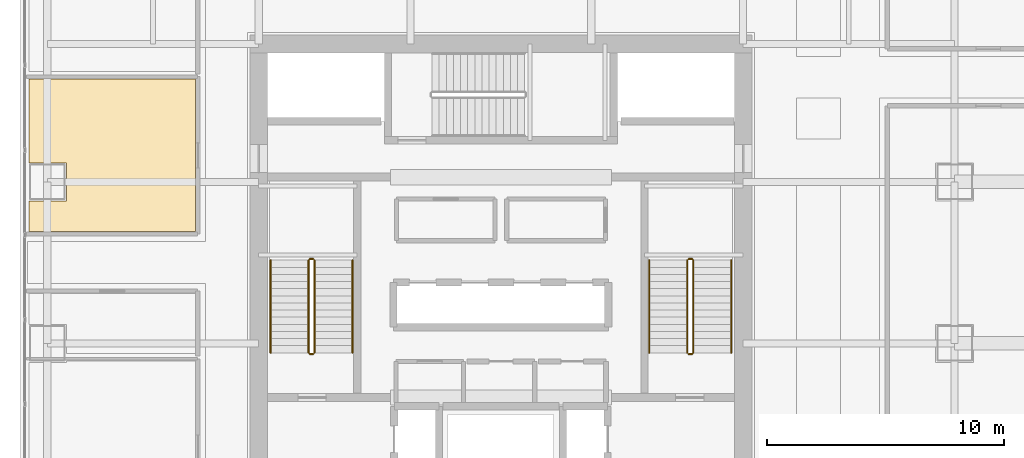
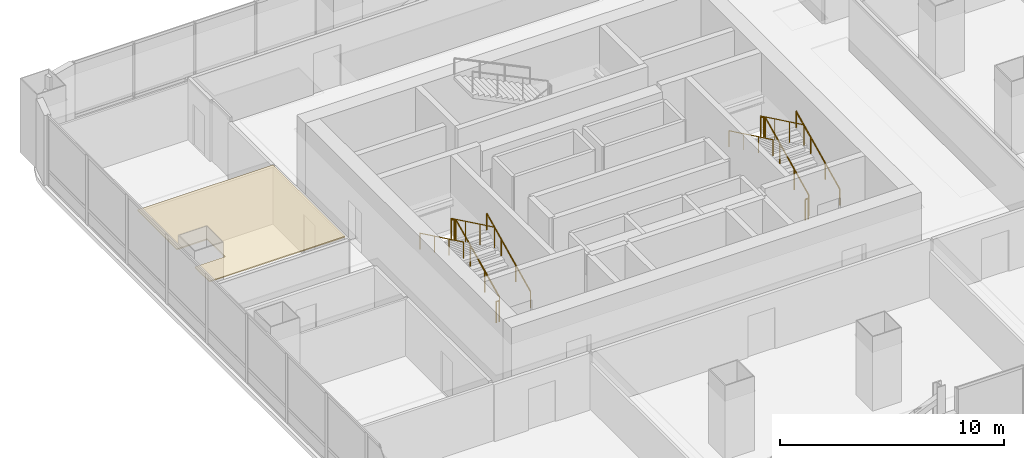
# One storey, part 35 of 40: 12 railings, 1 covering.
"""IFC4 building model written with IfcOpenShell, lengths in metres."""

import ifcopenshell
import ifcopenshell.guid

model = None  # the IFC model being written
_history = None  # IfcOwnerHistory: only IFC2X3 demands one
_inside = {}  # id of a spatial element -> (the spatial element, [elements in it])
_under = {}  # id of a project, library or spatial element -> (it, [spatial elements below it])
_declared = {}  # id of a project -> (the project, [libraries it declares])
_typed = {}  # id of a type object -> (the type object, [elements of that type])
_made_of = {}  # id of a material, layer set ... -> (it, [elements and type objects made of it])


def new_model(schema):
    """Start an empty IFC model of exactly this schema.

    Asked for "IFC4X3", IfcOpenShell would pick the latest addendum, in which some entities
    have other attributes; the version numbers below select the first issue.
    IFC2X3 requires an IfcOwnerHistory on every rooted entity: one is made here for all.
    """
    global model, _history
    if schema == "IFC4X3":
        model = ifcopenshell.file(schema_version=(4, 3, 0, 0))
    else:
        model = ifcopenshell.file(schema=schema)
    _inside.clear()
    _under.clear()
    _declared.clear()
    _typed.clear()
    _made_of.clear()
    _history = None
    if model.schema == "IFC2X3":
        org = make("IfcOrganization", Name="unknown")
        user = make(
            "IfcPersonAndOrganization",
            ThePerson=make("IfcPerson", FamilyName="unknown"),
            TheOrganization=org,
        )
        app = make(
            "IfcApplication",
            ApplicationDeveloper=org,
            Version="unknown",
            ApplicationFullName="unknown",
            ApplicationIdentifier="unknown",
        )
        _history = make(
            "IfcOwnerHistory",
            OwningUser=user,
            OwningApplication=app,
            ChangeAction="ADDED",
            CreationDate=0,
        )
    return model


def make(cls, **values):
    """One entity of the class cls with the attributes given. An attribute that is None is left unset."""
    return model.create_entity(
        cls, **{name: value for name, value in values.items() if value is not None}
    )


def rooted(cls, **values):
    """An entity with a GlobalId (a new one), such as an element, a storey or a relation."""
    return make(cls, GlobalId=ifcopenshell.guid.new(), OwnerHistory=_history, **values)


def si_unit(unit_type, name, prefix=None):
    """IfcSIUnit, for example si_unit("LENGTHUNIT", "METRE", prefix="MILLI")."""
    return make("IfcSIUnit", UnitType=unit_type, Prefix=prefix, Name=name)


def assignment(units):
    """IfcUnitAssignment: the units of a project."""
    return None if units is None else make("IfcUnitAssignment", Units=units)


def point(xyz):
    """IfcCartesianPoint."""
    return None if xyz is None else make("IfcCartesianPoint", Coordinates=xyz)


def direction(xyz):
    """IfcDirection."""
    return None if xyz is None else make("IfcDirection", DirectionRatios=xyz)


def frame(location, z_axis=None, x_axis=None):
    """IfcAxis2Placement3D, a coordinate frame: its origin and axes. An axis left out is left unset."""
    return make(
        "IfcAxis2Placement3D",
        Location=point(location),
        Axis=direction(z_axis),
        RefDirection=direction(x_axis),
    )


def frame_2d(location, x_axis=None):
    """IfcAxis2Placement2D, a coordinate frame in the plane: its origin and x axis."""
    return make(
        "IfcAxis2Placement2D", Location=point(location), RefDirection=direction(x_axis)
    )


def origin():
    """The frame at (0, 0, 0) with its axes left unset."""
    return frame((0.0, 0.0, 0.0))


def origin_2d():
    """The frame at (0, 0) in the plane with its x axis left unset."""
    return frame_2d((0.0, 0.0))


def place(relative_to, where):
    """IfcLocalPlacement: puts the frame where relative to a parent placement (None: the world)."""
    return make(
        "IfcLocalPlacement", PlacementRelTo=relative_to, RelativePlacement=where
    )


def context(
    kind, dimensions, precision=None, world=None, true_north=None, identifier=None
):
    """IfcGeometricRepresentationContext, for example the 3D "Model" context."""
    return make(
        "IfcGeometricRepresentationContext",
        ContextIdentifier=identifier,
        ContextType=kind,
        CoordinateSpaceDimension=dimensions,
        Precision=precision,
        WorldCoordinateSystem=world,
        TrueNorth=true_north,
    )


def subcontext(parent, identifier, kind, view, scale=None):
    """IfcGeometricRepresentationSubContext, for example "Body" below "Model"."""
    return make(
        "IfcGeometricRepresentationSubContext",
        ContextIdentifier=identifier,
        ContextType=kind,
        ParentContext=parent,
        TargetScale=scale,
        TargetView=view,
    )


def project(units=None, contexts=None):
    """IfcProject with its units and contexts."""
    return rooted(
        "IfcProject",
        Name="project",
        RepresentationContexts=contexts,
        UnitsInContext=assignment(units),
    )


def spatial(cls, under=None, at=None, **own):
    """A site, building, storey or space (cls), placed at a placement, below another one or the project."""
    s = rooted(cls, ObjectPlacement=at, **own)
    if under is not None:
        _under.setdefault(under.id(), (under, []))[1].append(s)
    return s


def polyline(points):
    """IfcPolyline through the points."""
    return make("IfcPolyline", Points=[point(p) for p in points])


def profile(cls, at=None, kind="AREA", **sizes):
    """A parametric profile (cls). Its sizes go by their IFC names, for example OverallWidth=200.0."""
    return make(cls, ProfileType=kind, Position=at, **sizes)


def circle(**sizes):
    """IfcCircleProfileDef."""
    return profile("IfcCircleProfileDef", **sizes)


def outline(outer, holes=None, kind="AREA"):
    """IfcArbitraryClosedProfileDef: a profile drawn as a closed curve; with holes, ...WithVoids."""
    if holes is None:
        return make("IfcArbitraryClosedProfileDef", ProfileType=kind, OuterCurve=outer)
    return make(
        "IfcArbitraryProfileDefWithVoids",
        ProfileType=kind,
        OuterCurve=outer,
        InnerCurves=holes,
    )


def extrude(swept, where, along, depth):
    """IfcExtrudedAreaSolid: the profile swept, set in the frame where, extruded along a direction by depth."""
    return make(
        "IfcExtrudedAreaSolid",
        SweptArea=swept,
        Position=where,
        ExtrudedDirection=direction(along),
        Depth=depth,
    )


def shape(context_of_items, identifier, shape_type, items):
    """IfcShapeRepresentation: the items that make up one representation, for example the "Body"."""
    return make(
        "IfcShapeRepresentation",
        ContextOfItems=context_of_items,
        RepresentationIdentifier=identifier,
        RepresentationType=shape_type,
        Items=items,
    )


def material(Name=None, Category=None):
    """IfcMaterial."""
    return make("IfcMaterial", Name=Name, Category=Category)


def layer(
    of_material, thickness, ventilated=None, Name=None, Category=None, Priority=None
):
    """IfcMaterialLayer: one layer of a wall or slab, of a material (None: an air gap)."""
    return make(
        "IfcMaterialLayer",
        Material=of_material,
        LayerThickness=thickness,
        IsVentilated=ventilated,
        Name=Name,
        Category=Category,
        Priority=Priority,
    )


def layer_set(layers, Name=None):
    """IfcMaterialLayerSet."""
    return make("IfcMaterialLayerSet", MaterialLayers=layers, LayerSetName=Name)


def made_of(thing, what):
    """Note that an element or type object is made of a material, layer set ...; save() writes the relation."""
    if what is not None:
        _made_of.setdefault(what.id(), (what, []))[1].append(thing)
    return thing


def type_object(cls, material=None, **own):
    """A type object (cls), such as IfcWallType, which elements share."""
    return made_of(rooted(cls, **own), material)


def element(
    cls,
    number,
    at=None,
    inside=None,
    cuts=None,
    type_object=None,
    material=None,
    context=None,
    identifier="Body",
    shape_type=None,
    held_by="IfcProductDefinitionShape",
    body=None,
    shapes=None,
    **own,
):
    """One element of the class cls, such as IfcWall. Its Tag is "e" and its number.

    at: its placement. inside: the storey or other place that contains it. cuts: it is an
    opening in that element (IfcRelVoidsElement). A single representation is given by context,
    identifier, shape_type and body (its items); several are given by shapes. held_by: the class
    of the entity that holds the representations. save() writes the other relations.
    """
    e = rooted(cls, Tag="e%d" % number, ObjectPlacement=at, **own)
    if body is not None:
        shapes = [shape(context, identifier, shape_type, body)]
    if shapes is not None:
        e.Representation = make(held_by, Representations=shapes)
    if inside is not None:
        _inside.setdefault(inside.id(), (inside, []))[1].append(e)
    if cuts is not None:
        rooted(
            "IfcRelVoidsElement", RelatingBuildingElement=cuts, RelatedOpeningElement=e
        )
    if type_object is not None:
        _typed.setdefault(type_object.id(), (type_object, []))[1].append(e)
    return made_of(e, material)


def aggregate(whole, parts):
    """IfcRelAggregates: a whole, such as a stair, and the parts it consists of."""
    return rooted("IfcRelAggregates", RelatingObject=whole, RelatedObjects=parts)


def save(model, path):
    """Write the relations noted so far, then the file.

    IfcRelAggregates (storeys below a building ...), IfcRelContainedInSpatialStructure (elements
    in a storey), IfcRelDefinesByType, IfcRelAssociatesMaterial and IfcRelDeclares: one each for
    every whole, place, type object, material and project.
    """
    for whole, parts in _under.values():
        aggregate(whole, parts)
    for where, things in _inside.values():
        rooted(
            "IfcRelContainedInSpatialStructure",
            RelatedElements=things,
            RelatingStructure=where,
        )
    for kind, things in _typed.values():
        rooted("IfcRelDefinesByType", RelatedObjects=things, RelatingType=kind)
    for what, things in _made_of.values():
        rooted("IfcRelAssociatesMaterial", RelatedObjects=things, RelatingMaterial=what)
    for by, libraries in _declared.values():
        rooted("IfcRelDeclares", RelatingContext=by, RelatedDefinitions=libraries)
    model.write(path)


model = new_model("IFC4")

# Units and contexts
model_context = context("Model", 3, precision=1e-05, world=origin(), true_north=direction((0.0, 1.0)))
body_context = subcontext(model_context, "Body", "Model", "MODEL_VIEW")
ifc_project = project(units=[si_unit("LENGTHUNIT", "METRE"), si_unit("AREAUNIT", "SQUARE_METRE"), si_unit("VOLUMEUNIT", "CUBIC_METRE"), si_unit("PLANEANGLEUNIT", "RADIAN"), si_unit("MASSUNIT", "GRAM", prefix="KILO")], contexts=[model_context])

# Site, building, storey
site_placement = place(None, origin())
site = spatial("IfcSite", under=ifc_project, at=site_placement, CompositionType="ELEMENT")
building_placement = place(site_placement, origin())
building = spatial("IfcBuilding", under=site, at=building_placement, Name="Punatoya Terracotta Tower", CompositionType="ELEMENT")
storey_placement = place(building_placement, frame((0.0, 0.0, 76.800048828125)))
storey = spatial("IfcBuildingStorey", under=building, at=storey_placement, Name="L17", CompositionType="ELEMENT", Elevation=76.800048828125)

# Covering
ifc_material_1 = material(Name="Acoustic Mineral Fibre Ceiling")
ifc_layer = layer(ifc_material_1, 0.06005859375)
ifc_layer_set = layer_set([ifc_layer], Name="Acoustic Mineral Fibre Ceiling")
covering_type = type_object("IfcCoveringType", Name="COV-CEIL-60", PredefinedType="CEILING", material=ifc_layer_set)
covering_placement = place(storey_placement, frame((0.0, 0.0, 3.199951171875)))
element("IfcCovering", 1, at=covering_placement, inside=storey, type_object=covering_type, Name="L17 Open-Plan Wellness Focus Room Acoustic Ceiling", PredefinedType="CEILING", context=body_context, shape_type="SweptSolid", body=[
    extrude(outline(polyline([(-19.8701171875, 1.300048828125), (-12.8701171875, 1.300048828125), (-12.8701171875, 7.72998046875), (-19.8701171875, 7.72998046875), (-19.8701171875, 4.199951171875), (-18.300048828125, 4.199951171875), (-18.300048828125, 2.60009765625), (-19.8701171875, 2.60009765625), (-19.8701171875, 1.300048828125)])), origin(), (0.0, 0.0, 1.0), 0.06005859375),
])

# Railings
ifc_material_2 = material(Name="Steel S355", Category="steel")
railing_type_1 = type_object("IfcRailingType", Name="RLG-GRD-1150", PredefinedType="GUARDRAIL", material=ifc_material_2)
railing_1_placement = place(storey_placement, frame((-7.85009765625, -3.800048828125, 0.14453125)))
element("IfcRailing", 2, at=railing_1_placement, inside=storey, type_object=railing_type_1, Name="L17 ST-1 stair guard 1", PredefinedType="GUARDRAIL", context=body_context, shape_type="SweptSolid", body=[
    extrude(circle(Radius=0.02392578125, at=origin_2d()), frame((0.0, 0.0, 1.1259765625), z_axis=(0.0, 0.900773802044, 0.434288564841), x_axis=(-1.0, 0.0, 0.0)), (0.0, 0.0, 1.0), 4.329833984375),
    extrude(circle(Radius=0.02099609375, at=origin_2d()), origin(), (0.0, 0.0, 1.0), 1.101806640625),
    extrude(circle(Radius=0.02099609375, at=origin_2d()), frame((0.0, 1.300048828125, 0.626708984375)), (0.0, 0.0, 1.0), 1.101806640625),
    extrude(circle(Radius=0.02099609375, at=origin_2d()), frame((0.0, 2.60009765625, 1.253662109375)), (0.0, 0.0, 1.0), 1.101806640625),
    extrude(circle(Radius=0.02099609375, at=origin_2d()), frame((0.0, 3.900146484375, 1.88037109375)), (0.0, 0.0, 1.0), 1.101806640625),
])
railing_2_placement = place(storey_placement, frame((-7.89990234375, 0.14990234375, 2.02490234375)))
element("IfcRailing", 3, at=railing_2_placement, inside=storey, type_object=railing_type_1, Name="L17 ST-1 stair guard 2", PredefinedType="GUARDRAIL", context=body_context, shape_type="SweptSolid", body=[
    extrude(circle(Radius=0.02392578125, at=origin_2d()), frame((0.0, 0.0, 1.1259765625), z_axis=(-1.0, 0.0, 0.0), x_axis=(0.0, -1.0, 0.0)), (0.0, 0.0, 1.0), 0.150146484375),
    extrude(circle(Radius=0.02099609375, at=origin_2d()), origin(), (0.0, 0.0, 1.0), 1.101806640625),
    extrude(circle(Radius=0.02099609375, at=origin_2d()), frame((-0.150146484375, 0.0, 0.0)), (0.0, 0.0, 1.0), 1.101806640625),
])
railing_3_placement = place(storey_placement, frame((-8.10009765625, 0.10009765625, 2.169677734375)))
element("IfcRailing", 4, at=railing_3_placement, inside=storey, type_object=railing_type_1, Name="L17 ST-1 stair guard 3", PredefinedType="GUARDRAIL", context=body_context, shape_type="SweptSolid", body=[
    extrude(circle(Radius=0.02392578125, at=origin_2d()), frame((0.0, 0.0, 1.1259765625), z_axis=(0.0, -0.900773802044, 0.434288564841), x_axis=(1.0, 0.0, 0.0)), (0.0, 0.0, 1.0), 4.329833984375),
    extrude(circle(Radius=0.02099609375, at=origin_2d()), origin(), (0.0, 0.0, 1.0), 1.101806640625),
    extrude(circle(Radius=0.02099609375, at=origin_2d()), frame((0.0, -1.300048828125, 0.626708984375)), (0.0, 0.0, 1.0), 1.101806640625),
    extrude(circle(Radius=0.02099609375, at=origin_2d()), frame((0.0, -2.60009765625, 1.253662109375)), (0.0, 0.0, 1.0), 1.101806640625),
    extrude(circle(Radius=0.02099609375, at=origin_2d()), frame((0.0, -3.900146484375, 1.88037109375)), (0.0, 0.0, 1.0), 1.101806640625),
])
railing_4_placement = place(storey_placement, frame((-7.89990234375, -3.85009765625, 0.0)))
element("IfcRailing", 5, at=railing_4_placement, inside=storey, type_object=railing_type_1, Name="L17 ST-1 stair guard 4", PredefinedType="GUARDRAIL", context=body_context, shape_type="SweptSolid", body=[
    extrude(circle(Radius=0.02392578125, at=origin_2d()), frame((0.0, 0.0, 1.1259765625), z_axis=(-1.0, 0.0, 0.0), x_axis=(0.0, -1.0, 0.0)), (0.0, 0.0, 1.0), 0.150146484375),
    extrude(circle(Radius=0.02099609375, at=origin_2d()), origin(), (0.0, 0.0, 1.0), 1.101806640625),
    extrude(circle(Radius=0.02099609375, at=origin_2d()), frame((-0.150146484375, 0.0, 0.0)), (0.0, 0.0, 1.0), 1.101806640625),
])
railing_5_placement = place(storey_placement, frame((8.10009765625, -3.800048828125, 0.14453125)))
element("IfcRailing", 6, at=railing_5_placement, inside=storey, type_object=railing_type_1, Name="L17 ST-2 stair guard 1", PredefinedType="GUARDRAIL", context=body_context, shape_type="SweptSolid", body=[
    extrude(circle(Radius=0.02392578125, at=origin_2d()), frame((0.0, 0.0, 1.1259765625), z_axis=(0.0, 0.900773802044, 0.434288564841), x_axis=(-1.0, 0.0, 0.0)), (0.0, 0.0, 1.0), 4.329833984375),
    extrude(circle(Radius=0.02099609375, at=origin_2d()), origin(), (0.0, 0.0, 1.0), 1.101806640625),
    extrude(circle(Radius=0.02099609375, at=origin_2d()), frame((0.0, 1.300048828125, 0.626708984375)), (0.0, 0.0, 1.0), 1.101806640625),
    extrude(circle(Radius=0.02099609375, at=origin_2d()), frame((0.0, 2.60009765625, 1.253662109375)), (0.0, 0.0, 1.0), 1.101806640625),
    extrude(circle(Radius=0.02099609375, at=origin_2d()), frame((0.0, 3.900146484375, 1.88037109375)), (0.0, 0.0, 1.0), 1.101806640625),
])
railing_6_placement = place(storey_placement, frame((8.050048828125, 0.14990234375, 2.02490234375)))
element("IfcRailing", 7, at=railing_6_placement, inside=storey, type_object=railing_type_1, Name="L17 ST-2 stair guard 2", PredefinedType="GUARDRAIL", context=body_context, shape_type="SweptSolid", body=[
    extrude(circle(Radius=0.02392578125, at=origin_2d()), frame((0.0, 0.0, 1.1259765625), z_axis=(-1.0, 0.0, 0.0), x_axis=(0.0, -1.0, 0.0)), (0.0, 0.0, 1.0), 0.150146484375),
    extrude(circle(Radius=0.02099609375, at=origin_2d()), origin(), (0.0, 0.0, 1.0), 1.101806640625),
    extrude(circle(Radius=0.02099609375, at=origin_2d()), frame((-0.150146484375, 0.0, 0.0)), (0.0, 0.0, 1.0), 1.101806640625),
])
railing_7_placement = place(storey_placement, frame((7.85009765625, 0.10009765625, 2.169677734375)))
element("IfcRailing", 8, at=railing_7_placement, inside=storey, type_object=railing_type_1, Name="L17 ST-2 stair guard 3", PredefinedType="GUARDRAIL", context=body_context, shape_type="SweptSolid", body=[
    extrude(circle(Radius=0.02392578125, at=origin_2d()), frame((0.0, 0.0, 1.1259765625), z_axis=(0.0, -0.900773802044, 0.434288564841), x_axis=(1.0, 0.0, 0.0)), (0.0, 0.0, 1.0), 4.329833984375),
    extrude(circle(Radius=0.02099609375, at=origin_2d()), origin(), (0.0, 0.0, 1.0), 1.101806640625),
    extrude(circle(Radius=0.02099609375, at=origin_2d()), frame((0.0, -1.300048828125, 0.626708984375)), (0.0, 0.0, 1.0), 1.101806640625),
    extrude(circle(Radius=0.02099609375, at=origin_2d()), frame((0.0, -2.60009765625, 1.253662109375)), (0.0, 0.0, 1.0), 1.101806640625),
    extrude(circle(Radius=0.02099609375, at=origin_2d()), frame((0.0, -3.900146484375, 1.88037109375)), (0.0, 0.0, 1.0), 1.101806640625),
])
railing_8_placement = place(storey_placement, frame((8.050048828125, -3.85009765625, 0.0)))
element("IfcRailing", 9, at=railing_8_placement, inside=storey, type_object=railing_type_1, Name="L17 ST-2 stair guard 4", PredefinedType="GUARDRAIL", context=body_context, shape_type="SweptSolid", body=[
    extrude(circle(Radius=0.02392578125, at=origin_2d()), frame((0.0, 0.0, 1.1259765625), z_axis=(-1.0, 0.0, 0.0), x_axis=(0.0, -1.0, 0.0)), (0.0, 0.0, 1.0), 0.150146484375),
    extrude(circle(Radius=0.02099609375, at=origin_2d()), origin(), (0.0, 0.0, 1.0), 1.101806640625),
    extrude(circle(Radius=0.02099609375, at=origin_2d()), frame((-0.150146484375, 0.0, 0.0)), (0.0, 0.0, 1.0), 1.101806640625),
])
railing_type_2 = type_object("IfcRailingType", Name="RLG-HND-900", PredefinedType="HANDRAIL", material=ifc_material_2)
railing_9_placement = place(storey_placement, frame((-6.25, -3.800048828125, 0.14453125)))
element("IfcRailing", 10, at=railing_9_placement, inside=storey, type_object=railing_type_2, Name="L17 ST-1 stair handrail 1", PredefinedType="HANDRAIL", context=body_context, shape_type="SweptSolid", body=[
    extrude(circle(Radius=0.02392578125, at=origin_2d()), frame((0.0, 0.0, 0.8759765625), z_axis=(0.0, 0.900773802044, 0.434288564841), x_axis=(-1.0, 0.0, 0.0)), (0.0, 0.0, 1.0), 4.329833984375),
    extrude(circle(Radius=0.02099609375, at=origin_2d()), origin(), (0.0, 0.0, 1.0), 0.851806640625),
    extrude(circle(Radius=0.02099609375, at=origin_2d()), frame((0.0, 1.300048828125, 0.626708984375)), (0.0, 0.0, 1.0), 0.851806640625),
    extrude(circle(Radius=0.02099609375, at=origin_2d()), frame((0.0, 2.60009765625, 1.253662109375)), (0.0, 0.0, 1.0), 0.851806640625),
    extrude(circle(Radius=0.02099609375, at=origin_2d()), frame((0.0, 3.900146484375, 1.88037109375)), (0.0, 0.0, 1.0), 0.851806640625),
])
railing_10_placement = place(storey_placement, frame((-9.699951171875, 0.10009765625, 2.169677734375)))
element("IfcRailing", 11, at=railing_10_placement, inside=storey, type_object=railing_type_2, Name="L17 ST-1 stair handrail 2", PredefinedType="HANDRAIL", context=body_context, shape_type="SweptSolid", body=[
    extrude(circle(Radius=0.02392578125, at=origin_2d()), frame((0.0, 0.0, 0.8759765625), z_axis=(0.0, -0.900773802044, 0.434288564841), x_axis=(1.0, 0.0, 0.0)), (0.0, 0.0, 1.0), 4.329833984375),
    extrude(circle(Radius=0.02099609375, at=origin_2d()), origin(), (0.0, 0.0, 1.0), 0.851806640625),
    extrude(circle(Radius=0.02099609375, at=origin_2d()), frame((0.0, -1.300048828125, 0.626708984375)), (0.0, 0.0, 1.0), 0.851806640625),
    extrude(circle(Radius=0.02099609375, at=origin_2d()), frame((0.0, -2.60009765625, 1.253662109375)), (0.0, 0.0, 1.0), 0.851806640625),
    extrude(circle(Radius=0.02099609375, at=origin_2d()), frame((0.0, -3.900146484375, 1.88037109375)), (0.0, 0.0, 1.0), 0.851806640625),
])
railing_11_placement = place(storey_placement, frame((9.699951171875, -3.800048828125, 0.14453125)))
element("IfcRailing", 12, at=railing_11_placement, inside=storey, type_object=railing_type_2, Name="L17 ST-2 stair handrail 1", PredefinedType="HANDRAIL", context=body_context, shape_type="SweptSolid", body=[
    extrude(circle(Radius=0.02392578125, at=origin_2d()), frame((0.0, 0.0, 0.8759765625), z_axis=(0.0, 0.900773802044, 0.434288564841), x_axis=(-1.0, 0.0, 0.0)), (0.0, 0.0, 1.0), 4.329833984375),
    extrude(circle(Radius=0.02099609375, at=origin_2d()), origin(), (0.0, 0.0, 1.0), 0.851806640625),
    extrude(circle(Radius=0.02099609375, at=origin_2d()), frame((0.0, 1.300048828125, 0.626708984375)), (0.0, 0.0, 1.0), 0.851806640625),
    extrude(circle(Radius=0.02099609375, at=origin_2d()), frame((0.0, 2.60009765625, 1.253662109375)), (0.0, 0.0, 1.0), 0.851806640625),
    extrude(circle(Radius=0.02099609375, at=origin_2d()), frame((0.0, 3.900146484375, 1.88037109375)), (0.0, 0.0, 1.0), 0.851806640625),
])
railing_12_placement = place(storey_placement, frame((6.25, 0.10009765625, 2.169677734375)))
element("IfcRailing", 13, at=railing_12_placement, inside=storey, type_object=railing_type_2, Name="L17 ST-2 stair handrail 2", PredefinedType="HANDRAIL", context=body_context, shape_type="SweptSolid", body=[
    extrude(circle(Radius=0.02392578125, at=origin_2d()), frame((0.0, 0.0, 0.8759765625), z_axis=(0.0, -0.900773802044, 0.434288564841), x_axis=(1.0, 0.0, 0.0)), (0.0, 0.0, 1.0), 4.329833984375),
    extrude(circle(Radius=0.02099609375, at=origin_2d()), origin(), (0.0, 0.0, 1.0), 0.851806640625),
    extrude(circle(Radius=0.02099609375, at=origin_2d()), frame((0.0, -1.300048828125, 0.626708984375)), (0.0, 0.0, 1.0), 0.851806640625),
    extrude(circle(Radius=0.02099609375, at=origin_2d()), frame((0.0, -2.60009765625, 1.253662109375)), (0.0, 0.0, 1.0), 0.851806640625),
    extrude(circle(Radius=0.02099609375, at=origin_2d()), frame((0.0, -3.900146484375, 1.88037109375)), (0.0, 0.0, 1.0), 0.851806640625),
])

save(model, "model.ifc")
